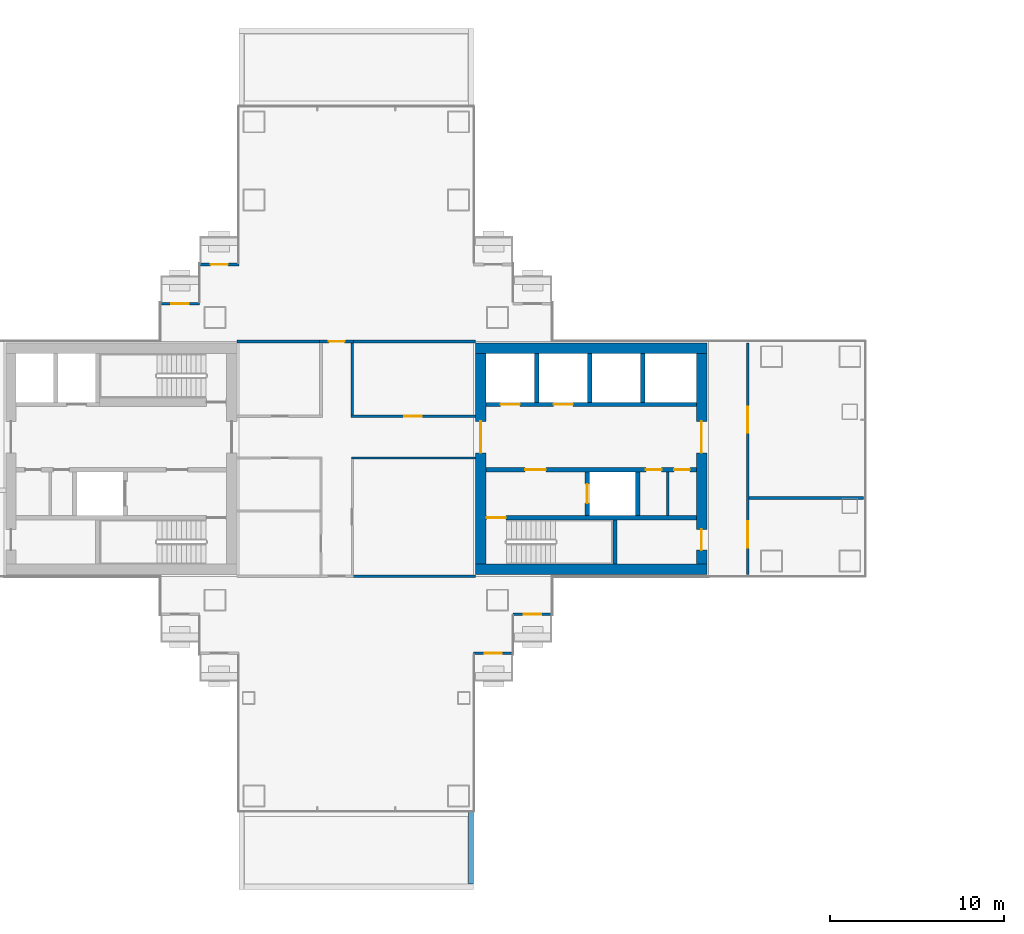
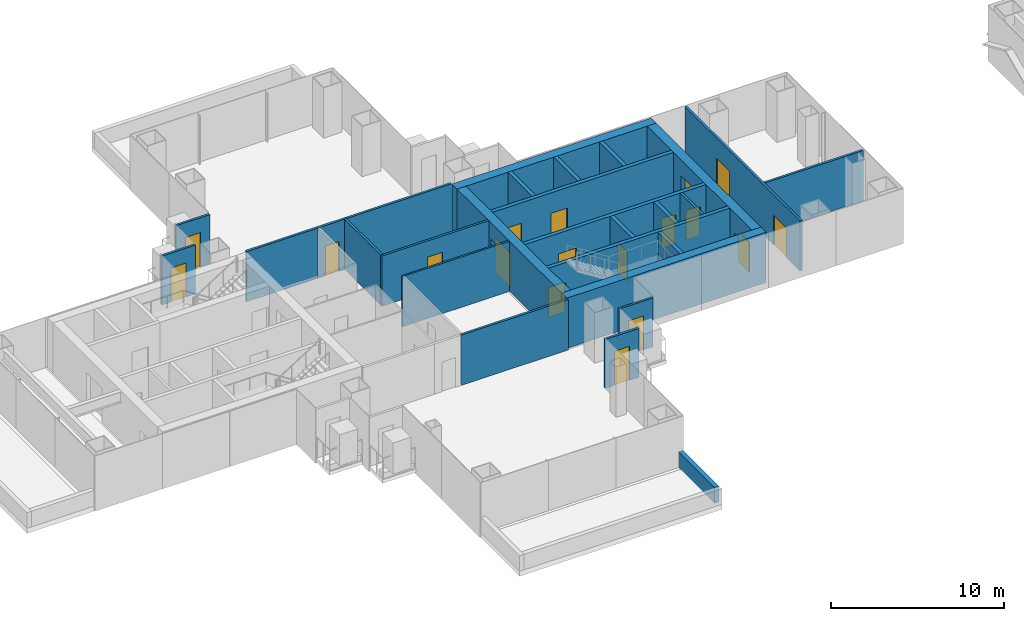
# One storey, part 12 of 20: 28 walls, 18 doors, 18 openings.
"""IFC4 building model written with IfcOpenShell, lengths in metres."""

from ifc_helpers import new_model, si_unit, direction, frame, frame_2d, origin, place, context, subcontext, project, spatial, rectangle, extrude, material, layer, layer_set, type_object, element, fill, save


model = new_model("IFC4")

# Units and contexts
model_context = context("Model", 3, precision=1e-05, world=origin(), true_north=direction((0.0, 1.0)))
body_context = subcontext(model_context, "Body", "Model", "MODEL_VIEW")
ifc_project = project(units=[si_unit("LENGTHUNIT", "METRE"), si_unit("AREAUNIT", "SQUARE_METRE"), si_unit("VOLUMEUNIT", "CUBIC_METRE"), si_unit("PLANEANGLEUNIT", "RADIAN"), si_unit("MASSUNIT", "GRAM", prefix="KILO")], contexts=[model_context])

# Site, building, storey
site_placement = place(None, origin())
site = spatial("IfcSite", under=ifc_project, at=site_placement, CompositionType="ELEMENT")
building_placement = place(site_placement, origin())
building = spatial("IfcBuilding", under=site, at=building_placement, Name="Shamsa Quay Exchange Towers", CompositionType="ELEMENT")
storey_placement = place(building_placement, frame((0.0, 0.0, 81.89990234375)))
storey = spatial("IfcBuildingStorey", under=building, at=storey_placement, Name="L18", CompositionType="ELEMENT", Elevation=81.89990234375)

# Wall, opening, door
ifc_material_1 = material(Name="Aluminium EN AW-6063 T6, black anodised, with black enamelled glass infill", Category="aluminium")
ifc_layer_1 = layer(ifc_material_1, 0.14990234375)
ifc_layer_set_1 = layer_set([ifc_layer_1], Name="BALCONY DOOR BAY WALL 150")
wall_type_1 = type_object("IfcWallType", Name="BALCONY DOOR BAY WALL 150", PredefinedType="SOLIDWALL", material=ifc_layer_set_1)
wall_1_placement = place(storey_placement, frame((-22.5, -8.925048828125, 0.0), z_axis=(0.0, 0.0, 1.0), x_axis=(-1.0, 0.0, 0.0)))
wall_1 = element("IfcWall", 1, at=wall_1_placement, inside=storey, type_object=wall_type_1, Name="Door bay T1-PKES L18", PredefinedType="SOLIDWALL", context=body_context, shape_type="SweptSolid", body=[
    extrude(rectangle(XDim=2.25, YDim=0.14990234375, at=frame_2d((1.125, 0.0))), origin(), (0.0, 0.0, 1.0), 3.4501953125),
])
opening_1_placement = place(wall_1_placement, frame((0.625, 0.0, 0.0)))
opening_1 = element("IfcOpeningElement", 2, at=opening_1_placement, cuts=wall_1, Name="Opening XD107", PredefinedType="OPENING", context=body_context, shape_type="SweptSolid", body=[
    extrude(rectangle(XDim=1.0, YDim=2.39990234375, at=frame_2d((0.5, 1.199951171875))), frame((0.0, 0.0849609375, 0.0), z_axis=(0.0, -1.0, 0.0), x_axis=(1.0, 0.0, 0.0)), (0.0, 0.0, 1.0), 0.169921875),
])
ifc_material_2 = material(Name="Aluminium EN AW-6063 T6, black anodised, with laminated glass leaf", Category="aluminium")
door_type_1 = type_object("IfcDoorType", Name="BALCONY DOOR 1000x2400", OperationType="SINGLE_SWING_LEFT", PredefinedType="DOOR", material=ifc_material_2)
door_1_placement = place(opening_1_placement, origin())
door_1 = element("IfcDoor", 3, at=door_1_placement, inside=storey, type_object=door_type_1, Name="Balcony door T1-PKES L18", OperationType="SINGLE_SWING_RIGHT", OverallHeight=2.39990234375, OverallWidth=1.0, PredefinedType="DOOR", context=body_context, shape_type="SweptSolid", body=[
    extrude(rectangle(XDim=1.0, YDim=2.39990234375, at=frame_2d((0.5, 1.199951171875))), frame((0.0, 0.02490234375, 0.0), z_axis=(0.0, -1.0, 0.0), x_axis=(1.0, 0.0, 0.0)), (0.0, 0.0, 1.0), 0.050048828125),
])
fill(opening_1, door_1)

wall_2_placement = place(storey_placement, frame((-24.75, -11.175048828125, 0.0), z_axis=(0.0, 0.0, 1.0), x_axis=(-1.0, 0.0, 0.0)))
wall_2 = element("IfcWall", 4, at=wall_2_placement, inside=storey, type_object=wall_type_1, Name="Door bay T1-PKES L18", PredefinedType="SOLIDWALL", context=body_context, shape_type="SweptSolid", body=[
    extrude(rectangle(XDim=2.25, YDim=0.14990234375, at=frame_2d((1.125, 0.0))), origin(), (0.0, 0.0, 1.0), 3.4501953125),
])
opening_2_placement = place(wall_2_placement, frame((0.625, 0.0, 0.0)))
opening_2 = element("IfcOpeningElement", 5, at=opening_2_placement, cuts=wall_2, Name="Opening XD108", PredefinedType="OPENING", context=body_context, shape_type="SweptSolid", body=[
    extrude(rectangle(XDim=1.0, YDim=2.39990234375, at=frame_2d((0.5, 1.199951171875))), frame((0.0, 0.0849609375, 0.0), z_axis=(0.0, -1.0, 0.0), x_axis=(1.0, 0.0, 0.0)), (0.0, 0.0, 1.0), 0.169921875),
])
door_2_placement = place(opening_2_placement, origin())
door_2 = element("IfcDoor", 6, at=door_2_placement, inside=storey, type_object=door_type_1, Name="Balcony door T1-PKES L18", OperationType="SINGLE_SWING_LEFT", OverallHeight=2.39990234375, OverallWidth=1.0, PredefinedType="DOOR", context=body_context, shape_type="SweptSolid", body=[
    extrude(rectangle(XDim=1.0, YDim=2.39990234375, at=frame_2d((0.5, 1.199951171875))), frame((0.0, 0.02490234375, 0.0), z_axis=(0.0, -1.0, 0.0), x_axis=(1.0, 0.0, 0.0)), (0.0, 0.0, 1.0), 0.050048828125),
])
fill(opening_2, door_2)

wall_3_placement = place(storey_placement, frame((-42.75, 11.175048828125, 0.0)))
wall_3 = element("IfcWall", 7, at=wall_3_placement, inside=storey, type_object=wall_type_1, Name="Door bay T1-PKWN L18", PredefinedType="SOLIDWALL", context=body_context, shape_type="SweptSolid", body=[
    extrude(rectangle(XDim=2.25, YDim=0.14990234375, at=frame_2d((1.125, 0.0))), origin(), (0.0, 0.0, 1.0), 3.4501953125),
])
opening_3_placement = place(wall_3_placement, frame((0.625, 0.0, 0.0)))
opening_3 = element("IfcOpeningElement", 8, at=opening_3_placement, cuts=wall_3, Name="Opening XD109", PredefinedType="OPENING", context=body_context, shape_type="SweptSolid", body=[
    extrude(rectangle(XDim=1.0, YDim=2.39990234375, at=frame_2d((0.5, 1.199951171875))), frame((0.0, 0.0849609375, 0.0), z_axis=(0.0, -1.0, 0.0), x_axis=(1.0, 0.0, 0.0)), (0.0, 0.0, 1.0), 0.169921875),
])
door_3_placement = place(opening_3_placement, origin())
door_3 = element("IfcDoor", 9, at=door_3_placement, inside=storey, type_object=door_type_1, Name="Balcony door T1-PKWN L18", OperationType="SINGLE_SWING_LEFT", OverallHeight=2.39990234375, OverallWidth=1.0, PredefinedType="DOOR", context=body_context, shape_type="SweptSolid", body=[
    extrude(rectangle(XDim=1.0, YDim=2.39990234375, at=frame_2d((0.5, 1.199951171875))), frame((0.0, 0.02490234375, 0.0), z_axis=(0.0, -1.0, 0.0), x_axis=(1.0, 0.0, 0.0)), (0.0, 0.0, 1.0), 0.050048828125),
])
fill(opening_3, door_3)

wall_4_placement = place(storey_placement, frame((-45.0, 8.925048828125, 0.0)))
wall_4 = element("IfcWall", 10, at=wall_4_placement, inside=storey, type_object=wall_type_1, Name="Door bay T1-PKWN L18", PredefinedType="SOLIDWALL", context=body_context, shape_type="SweptSolid", body=[
    extrude(rectangle(XDim=2.25, YDim=0.14990234375, at=frame_2d((1.125, 0.0))), origin(), (0.0, 0.0, 1.0), 3.4501953125),
])
opening_4_placement = place(wall_4_placement, frame((0.625, 0.0, 0.0)))
opening_4 = element("IfcOpeningElement", 11, at=opening_4_placement, cuts=wall_4, Name="Opening XD110", PredefinedType="OPENING", context=body_context, shape_type="SweptSolid", body=[
    extrude(rectangle(XDim=1.0, YDim=2.39990234375, at=frame_2d((0.5, 1.199951171875))), frame((0.0, 0.0849609375, 0.0), z_axis=(0.0, -1.0, 0.0), x_axis=(1.0, 0.0, 0.0)), (0.0, 0.0, 1.0), 0.169921875),
])
door_4_placement = place(opening_4_placement, origin())
door_4 = element("IfcDoor", 12, at=door_4_placement, inside=storey, type_object=door_type_1, Name="Balcony door T1-PKWN L18", OperationType="SINGLE_SWING_RIGHT", OverallHeight=2.39990234375, OverallWidth=1.0, PredefinedType="DOOR", context=body_context, shape_type="SweptSolid", body=[
    extrude(rectangle(XDim=1.0, YDim=2.39990234375, at=frame_2d((0.5, 1.199951171875))), frame((0.0, 0.02490234375, 0.0), z_axis=(0.0, -1.0, 0.0), x_axis=(1.0, 0.0, 0.0)), (0.0, 0.0, 1.0), 0.050048828125),
])
fill(opening_4, door_4)

# Walls
ifc_material_3 = material(Name="Concrete C70/85", Category="concrete")
ifc_layer_2 = layer(ifc_material_3, 0.60009765625)
ifc_layer_set_2 = layer_set([ifc_layer_2], Name="CORE WALL 600 C70/85")
wall_type_2 = type_object("IfcWallType", Name="CORE WALL 600 C70/85", PredefinedType="SHEAR", material=ifc_layer_set_2)
for number, where, name in (
    (13, (-26.89990234375, -6.35009765625, 0.0), "Core wall T1A-R08-PS"),
    (14, (-26.89990234375, 6.35009765625, 0.0), "Core wall T1A-R08-PN"),
):
    element("IfcWall", number, at=place(storey_placement, frame(where)), inside=storey, type_object=wall_type_2, Name=name, PredefinedType="SHEAR", context=body_context, shape_type="SweptSolid", body=[
        extrude(rectangle(XDim=13.2998046875, YDim=0.60009765625, at=frame_2d((6.64990234375, 0.0))), origin(), (0.0, 0.0, 1.0), 3.550048828125),
    ])

# Wall, opening, door
wall_5_placement = place(storey_placement, frame((-26.60009765625, 6.050048828125, 0.0), z_axis=(0.0, 0.0, 1.0), x_axis=(0.0, -1.0, 0.0)))
wall_5 = element("IfcWall", 15, at=wall_5_placement, inside=storey, type_object=wall_type_2, Name="Core wall T1A-R08-PF", PredefinedType="SHEAR", context=body_context, shape_type="SweptSolid", body=[
    extrude(rectangle(XDim=12.10009765625, YDim=0.60009765625, at=frame_2d((6.050048828125, 0.0))), origin(), (0.0, 0.0, 1.0), 3.550048828125),
])
opening_5_placement = place(wall_5_placement, frame((3.89990234375, 0.0, 0.0)))
opening_5 = element("IfcOpeningElement", 16, at=opening_5_placement, cuts=wall_5, Name="Opening T1A-R08-LBD01", PredefinedType="OPENING", context=body_context, shape_type="SweptSolid", body=[
    extrude(rectangle(XDim=1.800048828125, YDim=2.39990234375, at=frame_2d((0.89990234375, 1.199951171875))), frame((0.0, 0.31005859375, 0.0), z_axis=(0.0, -1.0, 0.0), x_axis=(1.0, 0.0, 0.0)), (0.0, 0.0, 1.0), 0.6201171875),
])
ifc_material_4 = material(Name="Steel, fire rated", Category="steel")
door_type_2 = type_object("IfcDoorType", Name="LIFT LOBBY DOOR PAIR 1800", OperationType="DOUBLE_DOOR_SINGLE_SWING", PredefinedType="DOOR", material=ifc_material_4)
door_5_placement = place(opening_5_placement, origin())
door_5 = element("IfcDoor", 17, at=door_5_placement, inside=storey, type_object=door_type_2, Name="T1A-R08-LBD01", OperationType="DOUBLE_DOOR_SINGLE_SWING", OverallHeight=2.39990234375, OverallWidth=1.800048828125, PredefinedType="DOOR", context=body_context, shape_type="SweptSolid", body=[
    extrude(rectangle(XDim=1.800048828125, YDim=2.39990234375, at=frame_2d((0.89990234375, 1.199951171875))), frame((0.0, 0.02490234375, 0.0), z_axis=(0.0, -1.0, 0.0), x_axis=(1.0, 0.0, 0.0)), (0.0, 0.0, 1.0), 0.050048828125),
])
fill(opening_5, door_5)

# Wall, openings, doors
wall_6_placement = place(storey_placement, frame((-13.89990234375, 6.050048828125, 0.0), z_axis=(0.0, 0.0, 1.0), x_axis=(0.0, -1.0, 0.0)))
wall_6 = element("IfcWall", 18, at=wall_6_placement, inside=storey, type_object=wall_type_2, Name="Core wall T1A-R08-PB", PredefinedType="SHEAR", context=body_context, shape_type="SweptSolid", body=[
    extrude(rectangle(XDim=12.10009765625, YDim=0.60009765625, at=frame_2d((6.050048828125, 0.0))), origin(), (0.0, 0.0, 1.0), 3.550048828125),
])
opening_6_placement = place(wall_6_placement, frame((10.10009765625, 0.0, 0.0)))
opening_6 = element("IfcOpeningElement", 19, at=opening_6_placement, cuts=wall_6, Name="Opening T1A-R08-RD02", PredefinedType="OPENING", context=body_context, shape_type="SweptSolid", body=[
    extrude(rectangle(XDim=1.199951171875, YDim=2.10009765625, at=frame_2d((0.60009765625, 1.050048828125))), frame((0.0, 0.31005859375, 0.0), z_axis=(0.0, -1.0, 0.0), x_axis=(1.0, 0.0, 0.0)), (0.0, 0.0, 1.0), 0.6201171875),
])
opening_7_placement = place(wall_6_placement, frame((3.89990234375, 0.0, 0.0)))
opening_7 = element("IfcOpeningElement", 20, at=opening_7_placement, cuts=wall_6, Name="Opening T1A-R08-LBD03", PredefinedType="OPENING", context=body_context, shape_type="SweptSolid", body=[
    extrude(rectangle(XDim=1.800048828125, YDim=2.39990234375, at=frame_2d((0.89990234375, 1.199951171875))), frame((0.0, 0.31005859375, 0.0), z_axis=(0.0, -1.0, 0.0), x_axis=(1.0, 0.0, 0.0)), (0.0, 0.0, 1.0), 0.6201171875),
])
door_6_placement = place(opening_7_placement, origin())
door_6 = element("IfcDoor", 21, at=door_6_placement, inside=storey, type_object=door_type_2, Name="T1A-R08-LBD03", OperationType="DOUBLE_DOOR_SINGLE_SWING", OverallHeight=2.39990234375, OverallWidth=1.800048828125, PredefinedType="DOOR", context=body_context, shape_type="SweptSolid", body=[
    extrude(rectangle(XDim=1.800048828125, YDim=2.39990234375, at=frame_2d((0.89990234375, 1.199951171875))), frame((0.0, 0.02490234375, 0.0), z_axis=(0.0, -1.0, 0.0), x_axis=(1.0, 0.0, 0.0)), (0.0, 0.0, 1.0), 0.050048828125),
])
fill(opening_7, door_6)
door_type_3 = type_object("IfcDoorType", Name="RISER ACCESS DOOR 1200", OperationType="SINGLE_SWING_LEFT", PredefinedType="DOOR", material=ifc_material_4)
door_7_placement = place(opening_6_placement, origin())
door_7 = element("IfcDoor", 22, at=door_7_placement, inside=storey, type_object=door_type_3, Name="T1A-R08-RD02", OperationType="SINGLE_SWING_RIGHT", OverallHeight=2.10009765625, OverallWidth=1.199951171875, PredefinedType="DOOR", context=body_context, shape_type="SweptSolid", body=[
    extrude(rectangle(XDim=1.199951171875, YDim=2.10009765625, at=frame_2d((0.60009765625, 1.050048828125))), frame((0.0, 0.02490234375, 0.0), z_axis=(0.0, -1.0, 0.0), x_axis=(1.0, 0.0, 0.0)), (0.0, 0.0, 1.0), 0.050048828125),
])
fill(opening_6, door_7)

# Walls
ifc_material_5 = material(Name="Gypsum board on steel studs, EI 60", Category="steel")
ifc_layer_3 = layer(ifc_material_5, 0.14990234375)
ifc_layer_set_3 = layer_set([ifc_layer_3], Name="FIRE PARTITION 150")
wall_type_3 = type_object("IfcWallType", Name="FIRE PARTITION 150", PredefinedType="PARTITIONING", material=ifc_layer_set_3)
wall_7_placement = place(storey_placement, frame((-15.85009765625, -3.25, 0.0), z_axis=(0.0, 0.0, 1.0), x_axis=(0.0, 1.0, 0.0)))
element("IfcWall", 23, at=wall_7_placement, inside=storey, type_object=wall_type_3, Name="Partition T1A-R08-EC0", PredefinedType="PARTITIONING", context=body_context, shape_type="SweptSolid", body=[
    extrude(rectangle(XDim=2.5, YDim=0.14990234375, at=frame_2d((1.25, 0.0))), origin(), (0.0, 0.0, 1.0), 3.550048828125),
])
ifc_material_6 = material(Name="Laminated fire-resisting glass in a metal frame", Category="glass")
ifc_layer_4 = layer(ifc_material_6, 0.125)
ifc_layer_set_4 = layer_set([ifc_layer_4], Name="Glazed partition 125 mm EI 60")
wall_type_4 = type_object("IfcWallType", Name="Glazed partition 125 mm EI 60", PredefinedType="PARTITIONING", material=ifc_layer_set_4)
wall_8_placement = place(storey_placement, frame((-26.89990234375, 0.0498046875, 0.0), z_axis=(0.0, 0.0, 1.0), x_axis=(-1.0, 0.0, 0.0)))
element("IfcWall", 24, at=wall_8_placement, inside=storey, type_object=wall_type_4, Name="Partition T1-R08-W04", PredefinedType="PARTITIONING", context=body_context, shape_type="SweptSolid", body=[
    extrude(rectangle(XDim=7.13720703125, YDim=0.125, at=frame_2d((3.568603515625, 0.0))), origin(), (0.0, 0.0, 1.0), 3.550048828125),
])
ifc_material_7 = material(Name="Gypsum board partition on metal studs")
ifc_layer_5 = layer(ifc_material_7, 0.14990234375)
ifc_layer_set_5 = layer_set([ifc_layer_5], Name="Partition 150 mm EI 60")
wall_type_5 = type_object("IfcWallType", Name="Partition 150 mm EI 60", PredefinedType="PARTITIONING", material=ifc_layer_set_5)
wall_9_placement = place(storey_placement, frame((-33.974609375, 6.675048828125, 0.0), z_axis=(0.0, 0.0, 1.0), x_axis=(0.0, -1.0, 0.0)))
element("IfcWall", 25, at=wall_9_placement, inside=storey, type_object=wall_type_5, Name="Partition T1-R08-W01", PredefinedType="PARTITIONING", context=body_context, shape_type="SweptSolid", body=[
    extrude(rectangle(XDim=4.14990234375, YDim=0.14990234375, at=frame_2d((2.074951171875, 0.0))), origin(), (0.0, 0.0, 1.0), 3.550048828125),
])

# Wall, opening, door
wall_10_placement = place(storey_placement, frame((-34.049560546875, 2.4501953125, 0.0)))
wall_10 = element("IfcWall", 26, at=wall_10_placement, inside=storey, type_object=wall_type_5, Name="Partition T1-R08-W03", PredefinedType="PARTITIONING", context=body_context, shape_type="SweptSolid", body=[
    extrude(rectangle(XDim=7.149658203125, YDim=0.14990234375, at=frame_2d((3.57470703125, 0.0))), origin(), (0.0, 0.0, 1.0), 3.550048828125),
])
opening_8_placement = place(wall_10_placement, frame((3.062255859375, 0.0, 0.0)))
opening_8 = element("IfcOpeningElement", 27, at=opening_8_placement, cuts=wall_10, Name="Opening T1-R08-D07", PredefinedType="OPENING", context=body_context, shape_type="SweptSolid", body=[
    extrude(rectangle(XDim=1.0, YDim=2.39990234375, at=frame_2d((0.5, 1.199951171875))), frame((0.0, 0.0849609375, 0.0), z_axis=(0.0, -1.0, 0.0), x_axis=(1.0, 0.0, 0.0)), (0.0, 0.0, 1.0), 0.169921875),
])
ifc_material_8 = material(Name="Timber door leaf in a metal frame", Category="wood")
door_type_4 = type_object("IfcDoorType", Name="Door 1000x2400 FD30S", OperationType="NOTDEFINED", PredefinedType="DOOR", material=ifc_material_8)
door_8_placement = place(opening_8_placement, origin())
door_8 = element("IfcDoor", 28, at=door_8_placement, inside=storey, type_object=door_type_4, Name="Door T1-R08-D07", OperationType="SINGLE_SWING_RIGHT", OverallHeight=2.39990234375, OverallWidth=1.0, PredefinedType="DOOR", context=body_context, shape_type="SweptSolid", body=[
    extrude(rectangle(XDim=1.0, YDim=2.39990234375, at=frame_2d((0.5, 1.199951171875))), frame((0.0, 0.02490234375, 0.0), z_axis=(0.0, -1.0, 0.0), x_axis=(1.0, 0.0, 0.0)), (0.0, 0.0, 1.0), 0.050048828125),
])
fill(opening_8, door_8)

wall_11_placement = place(storey_placement, frame((-35.850341796875, 6.75, 0.0)))
wall_11 = element("IfcWall", 29, at=wall_11_placement, inside=storey, type_object=wall_type_5, Name="Partition T1-R08-W09", PredefinedType="PARTITIONING", context=body_context, shape_type="SweptSolid", body=[
    extrude(rectangle(XDim=1.95068359375, YDim=0.14990234375, at=frame_2d((0.975341796875, 0.0))), origin(), (0.0, 0.0, 1.0), 3.550048828125),
])
opening_9_placement = place(wall_11_placement, frame((0.525390625, 0.0, 0.0)))
opening_9 = element("IfcOpeningElement", 30, at=opening_9_placement, cuts=wall_11, Name="Opening T1-R08-D04", PredefinedType="OPENING", context=body_context, shape_type="SweptSolid", body=[
    extrude(rectangle(XDim=0.89990234375, YDim=2.10009765625, at=frame_2d((0.449951171875, 1.050048828125))), frame((0.0, 0.0849609375, 0.0), z_axis=(0.0, -1.0, 0.0), x_axis=(1.0, 0.0, 0.0)), (0.0, 0.0, 1.0), 0.169921875),
])
door_type_5 = type_object("IfcDoorType", Name="Door 900x2100 FD30S", OperationType="NOTDEFINED", PredefinedType="DOOR", material=ifc_material_8)
door_9_placement = place(opening_9_placement, origin())
door_9 = element("IfcDoor", 31, at=door_9_placement, inside=storey, type_object=door_type_5, Name="Door T1-R08-D04", OperationType="SINGLE_SWING_LEFT", OverallHeight=2.10009765625, OverallWidth=0.89990234375, PredefinedType="DOOR", context=body_context, shape_type="SweptSolid", body=[
    extrude(rectangle(XDim=0.89990234375, YDim=2.10009765625, at=frame_2d((0.449951171875, 1.050048828125))), frame((0.0, 0.02490234375, 0.0), z_axis=(0.0, -1.0, 0.0), x_axis=(1.0, 0.0, 0.0)), (0.0, 0.0, 1.0), 0.050048828125),
])
fill(opening_9, door_9)

# Wall, openings, doors
wall_12_placement = place(storey_placement, frame((-11.25, 6.655029296875, 0.0), z_axis=(0.0, 0.0, 1.0), x_axis=(0.0, -1.0, 0.0)))
wall_12 = element("IfcWall", 32, at=wall_12_placement, inside=storey, type_object=wall_type_5, Name="Partition T1-R08-W11", PredefinedType="PARTITIONING", context=body_context, shape_type="SweptSolid", body=[
    extrude(rectangle(XDim=13.31005859375, YDim=0.14990234375, at=frame_2d((6.655029296875, 0.0))), origin(), (0.0, 0.0, 1.0), 3.550048828125),
])
opening_10_placement = place(wall_12_placement, frame((3.655029296875, 0.0, 0.0)))
opening_10 = element("IfcOpeningElement", 33, at=opening_10_placement, cuts=wall_12, Name="Opening T1-R08-D08", PredefinedType="OPENING", context=body_context, shape_type="SweptSolid", body=[
    extrude(rectangle(XDim=1.5, YDim=2.10009765625, at=frame_2d((0.75, 1.050048828125))), frame((0.0, 0.0849609375, 0.0), z_axis=(0.0, -1.0, 0.0), x_axis=(1.0, 0.0, 0.0)), (0.0, 0.0, 1.0), 0.169921875),
])
opening_11_placement = place(wall_12_placement, frame((10.2548828125, 0.0, 0.0)))
opening_11 = element("IfcOpeningElement", 34, at=opening_11_placement, cuts=wall_12, Name="Opening T1-R08-D09", PredefinedType="OPENING", context=body_context, shape_type="SweptSolid", body=[
    extrude(rectangle(XDim=1.5, YDim=2.10009765625, at=frame_2d((0.75, 1.050048828125))), frame((0.0, 0.0849609375, 0.0), z_axis=(0.0, -1.0, 0.0), x_axis=(1.0, 0.0, 0.0)), (0.0, 0.0, 1.0), 0.169921875),
])
door_type_6 = type_object("IfcDoorType", Name="Door 1500x2100 FD30S pair", OperationType="NOTDEFINED", PredefinedType="DOOR", material=ifc_material_8)
door_10_placement = place(opening_10_placement, origin())
door_10 = element("IfcDoor", 35, at=door_10_placement, inside=storey, type_object=door_type_6, Name="Door T1-R08-D08", OperationType="DOUBLE_DOOR_SINGLE_SWING", OverallHeight=2.10009765625, OverallWidth=1.5, PredefinedType="DOOR", context=body_context, shape_type="SweptSolid", body=[
    extrude(rectangle(XDim=1.5, YDim=2.10009765625, at=frame_2d((0.75, 1.050048828125))), frame((0.0, 0.02490234375, 0.0), z_axis=(0.0, -1.0, 0.0), x_axis=(1.0, 0.0, 0.0)), (0.0, 0.0, 1.0), 0.050048828125),
])
fill(opening_10, door_10)
door_11_placement = place(opening_11_placement, origin())
door_11 = element("IfcDoor", 36, at=door_11_placement, inside=storey, type_object=door_type_6, Name="Door T1-R08-D09", OperationType="DOUBLE_DOOR_SINGLE_SWING", OverallHeight=2.10009765625, OverallWidth=1.5, PredefinedType="DOOR", context=body_context, shape_type="SweptSolid", body=[
    extrude(rectangle(XDim=1.5, YDim=2.10009765625, at=frame_2d((0.75, 1.050048828125))), frame((0.0, 0.02490234375, 0.0), z_axis=(0.0, -1.0, 0.0), x_axis=(1.0, 0.0, 0.0)), (0.0, 0.0, 1.0), 0.050048828125),
])
fill(opening_11, door_11)

# Walls
wall_13_placement = place(storey_placement, frame((-26.89990234375, 6.75, 0.0), z_axis=(0.0, 0.0, 1.0), x_axis=(-1.0, 0.0, 0.0)))
element("IfcWall", 37, at=wall_13_placement, inside=storey, type_object=wall_type_5, Name="Partition T1-R08-W12", PredefinedType="PARTITIONING", context=body_context, shape_type="SweptSolid", body=[
    extrude(rectangle(XDim=7.149658203125, YDim=0.14990234375, at=frame_2d((3.57470703125, 0.0))), origin(), (0.0, 0.0, 1.0), 3.550048828125),
])
wall_14_placement = place(storey_placement, frame((-35.700439453125, 6.75, 0.0), z_axis=(0.0, 0.0, 1.0), x_axis=(-1.0, 0.0, 0.0)))
element("IfcWall", 38, at=wall_14_placement, inside=storey, type_object=wall_type_5, Name="Partition T1-R08-W13", PredefinedType="PARTITIONING", context=body_context, shape_type="SweptSolid", body=[
    extrude(rectangle(XDim=4.899658203125, YDim=0.14990234375, at=frame_2d((2.44970703125, 0.0))), origin(), (0.0, 0.0, 1.0), 3.550048828125),
])
wall_15_placement = place(storey_placement, frame((-34.037109375, -6.75, 0.0)))
element("IfcWall", 39, at=wall_15_placement, inside=storey, type_object=wall_type_5, Name="Partition T1-R08-W15", PredefinedType="PARTITIONING", context=body_context, shape_type="SweptSolid", body=[
    extrude(rectangle(XDim=7.13720703125, YDim=0.14990234375, at=frame_2d((3.568603515625, 0.0))), origin(), (0.0, 0.0, 1.0), 3.550048828125),
])
wall_16_placement = place(storey_placement, frame((-4.594970703125, -2.25, 0.0), z_axis=(0.0, 0.0, 1.0), x_axis=(-1.0, 0.0, 0.0)))
element("IfcWall", 40, at=wall_16_placement, inside=storey, type_object=wall_type_5, Name="Partition T1-R08-W17", PredefinedType="PARTITIONING", context=body_context, shape_type="SweptSolid", body=[
    extrude(rectangle(XDim=6.580078125, YDim=0.14990234375, at=frame_2d((3.2900390625, 0.0))), origin(), (0.0, 0.0, 1.0), 3.550048828125),
])
ifc_material_9 = material(Name="Reinforced concrete C30/37", Category="concrete")
ifc_layer_6 = layer(ifc_material_9, 0.300048828125)
ifc_layer_set_6 = layer_set([ifc_layer_6], Name="ROOF PARAPET 300 C30/37")
wall_type_6 = type_object("IfcWallType", Name="ROOF PARAPET 300 C30/37", PredefinedType="PARAPET", material=ifc_layer_set_6)
wall_17_placement = place(storey_placement, frame((-27.14990234375, -24.449951171875, 0.0), z_axis=(0.0, 0.0, 1.0), x_axis=(0.0, 1.0, 0.0)))
element("IfcWall", 41, at=wall_17_placement, inside=storey, type_object=wall_type_6, Name="Parapet L17 3", PredefinedType="PARAPET", context=body_context, shape_type="SweptSolid", body=[
    extrude(rectangle(XDim=4.199951171875, YDim=0.300048828125, at=frame_2d((2.10009765625, 0.0))), origin(), (0.0, 0.0, 1.0), 1.10009765625),
])

# Wall, opening, door
ifc_material_10 = material(Name="Concrete C50/60", Category="concrete")
ifc_layer_7 = layer(ifc_material_10, 0.25)
ifc_layer_set_7 = layer_set([ifc_layer_7], Name="SHAFT WALL 250 C50/60")
wall_type_7 = type_object("IfcWallType", Name="SHAFT WALL 250 C50/60", PredefinedType="SHEAR", material=ifc_layer_set_7)
wall_18_placement = place(storey_placement, frame((-14.199951171875, -3.375, 0.0), z_axis=(0.0, 0.0, 1.0), x_axis=(-1.0, 0.0, 0.0)))
wall_18 = element("IfcWall", 42, at=wall_18_placement, inside=storey, type_object=wall_type_7, Name="Shaft wall T1A-R08-STL", PredefinedType="SHEAR", context=body_context, shape_type="SweptSolid", body=[
    extrude(rectangle(XDim=12.10009765625, YDim=0.25, at=frame_2d((6.050048828125, 0.0))), origin(), (0.0, 0.0, 1.0), 3.550048828125),
])
opening_12_placement = place(wall_18_placement, frame((10.949951171875, 0.0, 0.0)))
opening_12 = element("IfcOpeningElement", 43, at=opening_12_placement, cuts=wall_18, Name="Opening T1A-R08-SD04", PredefinedType="OPENING", context=body_context, shape_type="SweptSolid", body=[
    extrude(rectangle(XDim=1.10009765625, YDim=2.10009765625, at=frame_2d((0.550048828125, 1.050048828125))), frame((0.0, 0.135009765625, 0.0), z_axis=(0.0, -1.0, 0.0), x_axis=(1.0, 0.0, 0.0)), (0.0, 0.0, 1.0), 0.27001953125),
])
door_type_7 = type_object("IfcDoorType", Name="STAIR DOOR 1100", OperationType="SINGLE_SWING_LEFT", PredefinedType="DOOR", material=ifc_material_4)
door_12_placement = place(opening_12_placement, origin())
door_12 = element("IfcDoor", 44, at=door_12_placement, inside=storey, type_object=door_type_7, Name="T1A-R08-SD04", OperationType="SINGLE_SWING_RIGHT", OverallHeight=2.10009765625, OverallWidth=1.10009765625, PredefinedType="DOOR", context=body_context, shape_type="SweptSolid", body=[
    extrude(rectangle(XDim=1.10009765625, YDim=2.10009765625, at=frame_2d((0.550048828125, 1.050048828125))), frame((0.0, 0.02490234375, 0.0), z_axis=(0.0, -1.0, 0.0), x_axis=(1.0, 0.0, 0.0)), (0.0, 0.0, 1.0), 0.050048828125),
])
fill(opening_12, door_12)

# Wall
wall_19_placement = place(storey_placement, frame((-18.875, -6.050048828125, 0.0), z_axis=(0.0, 0.0, 1.0), x_axis=(0.0, 1.0, 0.0)))
element("IfcWall", 45, at=wall_19_placement, inside=storey, type_object=wall_type_7, Name="Shaft wall T1A-R08-STF", PredefinedType="SHEAR", context=body_context, shape_type="SweptSolid", body=[
    extrude(rectangle(XDim=2.550048828125, YDim=0.25, at=frame_2d((1.27490234375, 0.0))), origin(), (0.0, 0.0, 1.0), 3.550048828125),
])

# Wall, openings, doors
wall_20_placement = place(storey_placement, frame((-14.199951171875, -0.625, 0.0), z_axis=(0.0, 0.0, 1.0), x_axis=(-1.0, 0.0, 0.0)))
wall_20 = element("IfcWall", 46, at=wall_20_placement, inside=storey, type_object=wall_type_7, Name="Shaft wall T1A-R08-B", PredefinedType="SHEAR", context=body_context, shape_type="SweptSolid", body=[
    extrude(rectangle(XDim=12.10009765625, YDim=0.25, at=frame_2d((6.050048828125, 0.0))), origin(), (0.0, 0.0, 1.0), 3.550048828125),
])
opening_13_placement = place(wall_20_placement, frame((8.64990234375, 0.0, 0.0)))
opening_13 = element("IfcOpeningElement", 47, at=opening_13_placement, cuts=wall_20, Name="Opening T1A-R08-FD05", PredefinedType="OPENING", context=body_context, shape_type="SweptSolid", body=[
    extrude(rectangle(XDim=1.199951171875, YDim=2.10009765625, at=frame_2d((0.60009765625, 1.050048828125))), frame((0.0, 0.135009765625, 0.0), z_axis=(0.0, -1.0, 0.0), x_axis=(1.0, 0.0, 0.0)), (0.0, 0.0, 1.0), 0.27001953125),
])
opening_14_placement = place(wall_20_placement, frame((2.0, 0.0, 0.0)))
opening_14 = element("IfcOpeningElement", 48, at=opening_14_placement, cuts=wall_20, Name="Opening T1A-R08-SV06", PredefinedType="OPENING", context=body_context, shape_type="SweptSolid", body=[
    extrude(rectangle(XDim=0.89990234375, YDim=2.10009765625, at=frame_2d((0.449951171875, 1.050048828125))), frame((0.0, 0.135009765625, 0.0), z_axis=(0.0, -1.0, 0.0), x_axis=(1.0, 0.0, 0.0)), (0.0, 0.0, 1.0), 0.27001953125),
])
opening_15_placement = place(wall_20_placement, frame((0.375, 0.0, 0.0)))
opening_15 = element("IfcOpeningElement", 49, at=opening_15_placement, cuts=wall_20, Name="Opening T1A-R08-SV07", PredefinedType="OPENING", context=body_context, shape_type="SweptSolid", body=[
    extrude(rectangle(XDim=0.89990234375, YDim=2.10009765625, at=frame_2d((0.449951171875, 1.050048828125))), frame((0.0, 0.135009765625, 0.0), z_axis=(0.0, -1.0, 0.0), x_axis=(1.0, 0.0, 0.0)), (0.0, 0.0, 1.0), 0.27001953125),
])
door_type_8 = type_object("IfcDoorType", Name="FIRE SERVICE LOBBY DOOR 1200", OperationType="SINGLE_SWING_LEFT", PredefinedType="DOOR", material=ifc_material_4)
door_13_placement = place(opening_13_placement, origin())
door_13 = element("IfcDoor", 50, at=door_13_placement, inside=storey, type_object=door_type_8, Name="T1A-R08-FD05", OperationType="SINGLE_SWING_RIGHT", OverallHeight=2.10009765625, OverallWidth=1.199951171875, PredefinedType="DOOR", context=body_context, shape_type="SweptSolid", body=[
    extrude(rectangle(XDim=1.199951171875, YDim=2.10009765625, at=frame_2d((0.60009765625, 1.050048828125))), frame((0.0, 0.02490234375, 0.0), z_axis=(0.0, -1.0, 0.0), x_axis=(1.0, 0.0, 0.0)), (0.0, 0.0, 1.0), 0.050048828125),
])
fill(opening_13, door_13)
door_type_9 = type_object("IfcDoorType", Name="SERVICE ROOM DOOR 900", OperationType="SINGLE_SWING_LEFT", PredefinedType="DOOR", material=ifc_material_4)
door_14_placement = place(opening_14_placement, origin())
door_14 = element("IfcDoor", 51, at=door_14_placement, inside=storey, type_object=door_type_9, Name="T1A-R08-SV06", OperationType="SINGLE_SWING_LEFT", OverallHeight=2.10009765625, OverallWidth=0.89990234375, PredefinedType="DOOR", context=body_context, shape_type="SweptSolid", body=[
    extrude(rectangle(XDim=0.89990234375, YDim=2.10009765625, at=frame_2d((0.449951171875, 1.050048828125))), frame((0.0, 0.02490234375, 0.0), z_axis=(0.0, -1.0, 0.0), x_axis=(1.0, 0.0, 0.0)), (0.0, 0.0, 1.0), 0.050048828125),
])
fill(opening_14, door_14)
door_15_placement = place(opening_15_placement, origin())
door_15 = element("IfcDoor", 52, at=door_15_placement, inside=storey, type_object=door_type_9, Name="T1A-R08-SV07", OperationType="SINGLE_SWING_LEFT", OverallHeight=2.10009765625, OverallWidth=0.89990234375, PredefinedType="DOOR", context=body_context, shape_type="SweptSolid", body=[
    extrude(rectangle(XDim=0.89990234375, YDim=2.10009765625, at=frame_2d((0.449951171875, 1.050048828125))), frame((0.0, 0.02490234375, 0.0), z_axis=(0.0, -1.0, 0.0), x_axis=(1.0, 0.0, 0.0)), (0.0, 0.0, 1.0), 0.050048828125),
])
fill(opening_15, door_15)

# Wall, opening, door
wall_21_placement = place(storey_placement, frame((-20.47509765625, -3.25, 0.0), z_axis=(0.0, 0.0, 1.0), x_axis=(0.0, 1.0, 0.0)))
wall_21 = element("IfcWall", 53, at=wall_21_placement, inside=storey, type_object=wall_type_7, Name="Shaft wall T1A-R08-FFF", PredefinedType="SHEAR", context=body_context, shape_type="SweptSolid", body=[
    extrude(rectangle(XDim=2.5, YDim=0.25, at=frame_2d((1.25, 0.0))), origin(), (0.0, 0.0, 1.0), 3.550048828125),
])
opening_16_placement = place(wall_21_placement, frame((0.699951171875, 0.0, 0.0)))
opening_16 = element("IfcOpeningElement", 54, at=opening_16_placement, cuts=wall_21, Name="Opening T1A-R08-LDF08", PredefinedType="OPENING", context=body_context, shape_type="SweptSolid", body=[
    extrude(rectangle(XDim=1.10009765625, YDim=2.10009765625, at=frame_2d((0.550048828125, 1.050048828125))), frame((0.0, 0.135009765625, 0.0), z_axis=(0.0, -1.0, 0.0), x_axis=(1.0, 0.0, 0.0)), (0.0, 0.0, 1.0), 0.27001953125),
])
door_type_10 = type_object("IfcDoorType", Name="FIRE SERVICE LANDING DOOR 1100", OperationType="SLIDING_TO_LEFT", PredefinedType="DOOR", material=ifc_material_4)
door_16_placement = place(opening_16_placement, origin())
door_16 = element("IfcDoor", 55, at=door_16_placement, inside=storey, type_object=door_type_10, Name="T1A-R08-LDF08", OperationType="SLIDING_TO_LEFT", OverallHeight=2.10009765625, OverallWidth=1.10009765625, PredefinedType="DOOR", context=body_context, shape_type="SweptSolid", body=[
    extrude(rectangle(XDim=1.10009765625, YDim=2.10009765625, at=frame_2d((0.550048828125, 1.050048828125))), frame((0.0, 0.02490234375, 0.0), z_axis=(0.0, -1.0, 0.0), x_axis=(1.0, 0.0, 0.0)), (0.0, 0.0, 1.0), 0.050048828125),
])
fill(opening_16, door_16)

# Wall
wall_22_placement = place(storey_placement, frame((-17.574951171875, -3.25, 0.0), z_axis=(0.0, 0.0, 1.0), x_axis=(0.0, 1.0, 0.0)))
element("IfcWall", 56, at=wall_22_placement, inside=storey, type_object=wall_type_7, Name="Shaft wall T1A-R08-FFB", PredefinedType="SHEAR", context=body_context, shape_type="SweptSolid", body=[
    extrude(rectangle(XDim=2.5, YDim=0.25, at=frame_2d((1.25, 0.0))), origin(), (0.0, 0.0, 1.0), 3.550048828125),
])

# Wall, openings, doors
wall_23_placement = place(storey_placement, frame((-26.300048828125, 3.125, 0.0)))
wall_23 = element("IfcWall", 57, at=wall_23_placement, inside=storey, type_object=wall_type_7, Name="Shaft wall T1A-R08-N", PredefinedType="SHEAR", context=body_context, shape_type="SweptSolid", body=[
    extrude(rectangle(XDim=12.10009765625, YDim=0.25, at=frame_2d((6.050048828125, 0.0))), origin(), (0.0, 0.0, 1.0), 3.550048828125),
])
opening_17_placement = place(wall_23_placement, frame((0.85009765625, 0.0, 0.0)))
opening_17 = element("IfcOpeningElement", 58, at=opening_17_placement, cuts=wall_23, Name="Opening T1A-R08-LD09", PredefinedType="OPENING", context=body_context, shape_type="SweptSolid", body=[
    extrude(rectangle(XDim=1.10009765625, YDim=2.10009765625, at=frame_2d((0.550048828125, 1.050048828125))), frame((0.0, 0.135009765625, 0.0), z_axis=(0.0, -1.0, 0.0), x_axis=(1.0, 0.0, 0.0)), (0.0, 0.0, 1.0), 0.27001953125),
])
opening_18_placement = place(wall_23_placement, frame((3.89990234375, 0.0, 0.0)))
opening_18 = element("IfcOpeningElement", 59, at=opening_18_placement, cuts=wall_23, Name="Opening T1A-R08-LD10", PredefinedType="OPENING", context=body_context, shape_type="SweptSolid", body=[
    extrude(rectangle(XDim=1.10009765625, YDim=2.10009765625, at=frame_2d((0.550048828125, 1.050048828125))), frame((0.0, 0.135009765625, 0.0), z_axis=(0.0, -1.0, 0.0), x_axis=(1.0, 0.0, 0.0)), (0.0, 0.0, 1.0), 0.27001953125),
])
door_type_11 = type_object("IfcDoorType", Name="LANDING DOOR 1100", OperationType="SLIDING_TO_LEFT", PredefinedType="DOOR", material=ifc_material_4)
door_17_placement = place(opening_17_placement, origin())
door_17 = element("IfcDoor", 60, at=door_17_placement, inside=storey, type_object=door_type_11, Name="T1A-R08-LD09", OperationType="SLIDING_TO_LEFT", OverallHeight=2.10009765625, OverallWidth=1.10009765625, PredefinedType="DOOR", context=body_context, shape_type="SweptSolid", body=[
    extrude(rectangle(XDim=1.10009765625, YDim=2.10009765625, at=frame_2d((0.550048828125, 1.050048828125))), frame((0.0, 0.02490234375, 0.0), z_axis=(0.0, -1.0, 0.0), x_axis=(1.0, 0.0, 0.0)), (0.0, 0.0, 1.0), 0.050048828125),
])
fill(opening_17, door_17)
door_18_placement = place(opening_18_placement, origin())
door_18 = element("IfcDoor", 61, at=door_18_placement, inside=storey, type_object=door_type_11, Name="T1A-R08-LD10", OperationType="SLIDING_TO_LEFT", OverallHeight=2.10009765625, OverallWidth=1.10009765625, PredefinedType="DOOR", context=body_context, shape_type="SweptSolid", body=[
    extrude(rectangle(XDim=1.10009765625, YDim=2.10009765625, at=frame_2d((0.550048828125, 1.050048828125))), frame((0.0, 0.02490234375, 0.0), z_axis=(0.0, -1.0, 0.0), x_axis=(1.0, 0.0, 0.0)), (0.0, 0.0, 1.0), 0.050048828125),
])
fill(opening_18, door_18)

# Walls
for number, where, z_axis, x_axis, name in (
    (62, (-23.375, 3.25, 0.0), (0.0, 0.0, 1.0), (0.0, 1.0, 0.0), "Shaft wall T1A-R08-D0"),
    (63, (-20.324951171875, 3.25, 0.0), (0.0, 0.0, 1.0), (0.0, 1.0, 0.0), "Shaft wall T1A-R08-D1"),
    (64, (-17.27490234375, 3.25, 0.0), (0.0, 0.0, 1.0), (0.0, 1.0, 0.0), "Shaft wall T1A-R08-D2"),
):
    element("IfcWall", number, at=place(storey_placement, frame(where, z_axis=z_axis, x_axis=x_axis)), inside=storey, type_object=wall_type_7, Name=name, PredefinedType="SHEAR", context=body_context, shape_type="SweptSolid", body=[
        extrude(rectangle(XDim=2.800048828125, YDim=0.25, at=frame_2d((1.39990234375, 0.0))), origin(), (0.0, 0.0, 1.0), 3.550048828125),
    ])

save(model, "model.ifc")
